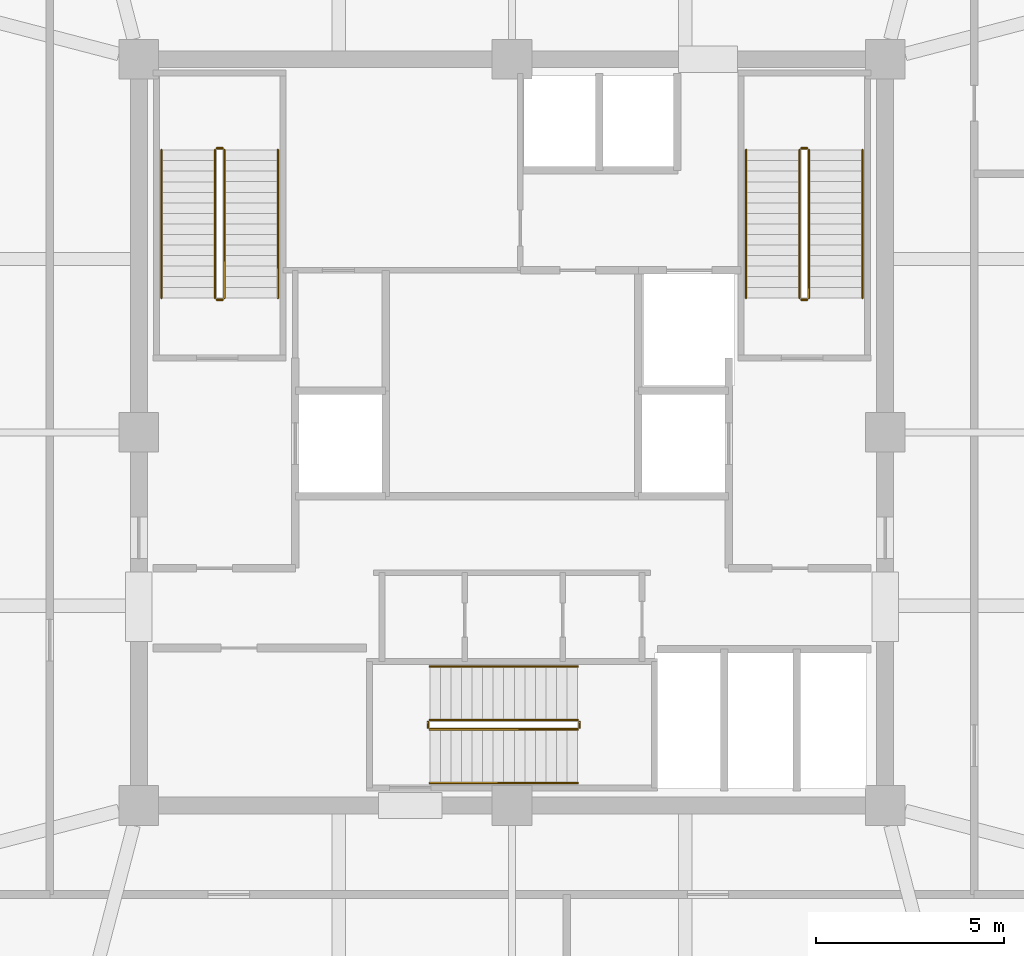
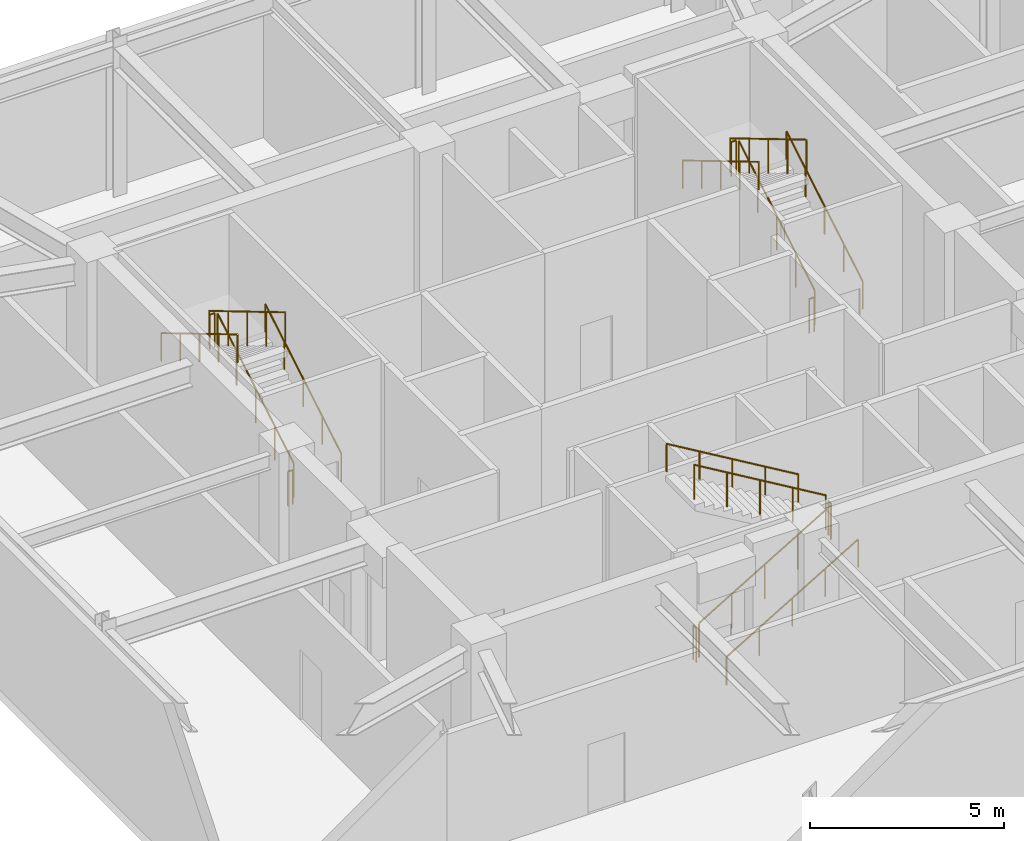
# One storey, part 5 of 5: 18 railings.
"""IFC4 building model written with IfcOpenShell, lengths in metres."""

from ifc_helpers import new_model, si_unit, direction, frame, origin, origin_2d, place, context, subcontext, project, spatial, circle, extrude, material, type_object, element, save


model = new_model("IFC4")

# Units and contexts
model_context = context("Model", 3, precision=1e-05, world=origin(), true_north=direction((0.0, 1.0)))
body_context = subcontext(model_context, "Body", "Model", "MODEL_VIEW")
ifc_project = project(units=[si_unit("LENGTHUNIT", "METRE"), si_unit("AREAUNIT", "SQUARE_METRE"), si_unit("VOLUMEUNIT", "CUBIC_METRE"), si_unit("PLANEANGLEUNIT", "RADIAN"), si_unit("MASSUNIT", "GRAM", prefix="KILO")], contexts=[model_context])

# Site, building, storey
site_placement = place(None, origin())
site = spatial("IfcSite", under=ifc_project, at=site_placement, CompositionType="ELEMENT")
building_placement = place(site_placement, origin())
building = spatial("IfcBuilding", under=site, at=building_placement, Name="Kolvaren Belvedere", CompositionType="ELEMENT")
storey_placement = place(building_placement, frame((0.0, 0.0, 272.39990234375)))
storey = spatial("IfcBuildingStorey", under=building, at=storey_placement, Name="L78", CompositionType="ELEMENT", Elevation=272.39990234375)

# Railings
ifc_material_1 = material(Name="Brushed stainless-steel handrail", Category="steel")
railing_type_1 = type_object("IfcRailingType", Name="RL-HANDRAIL-920", PredefinedType="HANDRAIL", material=ifc_material_1)
railing_1_placement = place(storey_placement, frame((-6.2099609375, 3.570068359375, 0.166748046875)))
element("IfcRailing", 1, at=railing_1_placement, inside=storey, type_object=railing_type_1, Name="L78 ST-1 stair handrail 1", PredefinedType="HANDRAIL", context=body_context, shape_type="SweptSolid", body=[
    extrude(circle(Radius=0.02392578125, at=origin_2d()), frame((0.0, 0.0, 0.8759765625), z_axis=(0.0, 0.859296244711, 0.511478214419), x_axis=(-1.0, 0.0, 0.0)), (0.0, 0.0, 1.0), 4.561767578125),
    extrude(circle(Radius=0.02099609375, at=origin_2d()), origin(), (0.0, 0.0, 1.0), 0.851806640625),
    extrude(circle(Radius=0.02099609375, at=origin_2d()), frame((0.0, 0.97998046875, 0.583251953125)), (0.0, 0.0, 1.0), 0.851806640625),
    extrude(circle(Radius=0.02099609375, at=origin_2d()), frame((0.0, 1.9599609375, 1.16650390625)), (0.0, 0.0, 1.0), 0.851806640625),
    extrude(circle(Radius=0.02099609375, at=origin_2d()), frame((0.0, 2.93994140625, 1.75)), (0.0, 0.0, 1.0), 0.851806640625),
    extrude(circle(Radius=0.02099609375, at=origin_2d()), frame((0.0, 3.919921875, 2.333251953125)), (0.0, 0.0, 1.0), 0.851806640625),
])
railing_2_placement = place(storey_placement, frame((-9.300048828125, 7.489990234375, 2.666748046875)))
element("IfcRailing", 2, at=railing_2_placement, inside=storey, type_object=railing_type_1, Name="L78 ST-1 stair handrail 2", PredefinedType="HANDRAIL", context=body_context, shape_type="SweptSolid", body=[
    extrude(circle(Radius=0.02392578125, at=origin_2d()), frame((0.0, 0.0, 0.8759765625), z_axis=(0.0, -0.859296244711, 0.511478214419), x_axis=(1.0, 0.0, 0.0)), (0.0, 0.0, 1.0), 4.561767578125),
    extrude(circle(Radius=0.02099609375, at=origin_2d()), origin(), (0.0, 0.0, 1.0), 0.851806640625),
    extrude(circle(Radius=0.02099609375, at=origin_2d()), frame((0.0, -0.97998046875, 0.583251953125)), (0.0, 0.0, 1.0), 0.851806640625),
    extrude(circle(Radius=0.02099609375, at=origin_2d()), frame((0.0, -1.9599609375, 1.16650390625)), (0.0, 0.0, 1.0), 0.851806640625),
    extrude(circle(Radius=0.02099609375, at=origin_2d()), frame((0.0, -2.93994140625, 1.75)), (0.0, 0.0, 1.0), 0.851806640625),
    extrude(circle(Radius=0.02099609375, at=origin_2d()), frame((0.0, -3.919921875, 2.333251953125)), (0.0, 0.0, 1.0), 0.851806640625),
])
railing_3_placement = place(storey_placement, frame((9.300048828125, 3.570068359375, 0.166748046875)))
element("IfcRailing", 3, at=railing_3_placement, inside=storey, type_object=railing_type_1, Name="L78 ST-2 stair handrail 1", PredefinedType="HANDRAIL", context=body_context, shape_type="SweptSolid", body=[
    extrude(circle(Radius=0.02392578125, at=origin_2d()), frame((0.0, 0.0, 0.8759765625), z_axis=(0.0, 0.859296244711, 0.511478214419), x_axis=(-1.0, 0.0, 0.0)), (0.0, 0.0, 1.0), 4.561767578125),
    extrude(circle(Radius=0.02099609375, at=origin_2d()), origin(), (0.0, 0.0, 1.0), 0.851806640625),
    extrude(circle(Radius=0.02099609375, at=origin_2d()), frame((0.0, 0.97998046875, 0.583251953125)), (0.0, 0.0, 1.0), 0.851806640625),
    extrude(circle(Radius=0.02099609375, at=origin_2d()), frame((0.0, 1.9599609375, 1.16650390625)), (0.0, 0.0, 1.0), 0.851806640625),
    extrude(circle(Radius=0.02099609375, at=origin_2d()), frame((0.0, 2.93994140625, 1.75)), (0.0, 0.0, 1.0), 0.851806640625),
    extrude(circle(Radius=0.02099609375, at=origin_2d()), frame((0.0, 3.919921875, 2.333251953125)), (0.0, 0.0, 1.0), 0.851806640625),
])
railing_4_placement = place(storey_placement, frame((6.2099609375, 7.489990234375, 2.666748046875)))
element("IfcRailing", 4, at=railing_4_placement, inside=storey, type_object=railing_type_1, Name="L78 ST-2 stair handrail 2", PredefinedType="HANDRAIL", context=body_context, shape_type="SweptSolid", body=[
    extrude(circle(Radius=0.02392578125, at=origin_2d()), frame((0.0, 0.0, 0.8759765625), z_axis=(0.0, -0.859296244711, 0.511478214419), x_axis=(1.0, 0.0, 0.0)), (0.0, 0.0, 1.0), 4.561767578125),
    extrude(circle(Radius=0.02099609375, at=origin_2d()), origin(), (0.0, 0.0, 1.0), 0.851806640625),
    extrude(circle(Radius=0.02099609375, at=origin_2d()), frame((0.0, -0.97998046875, 0.583251953125)), (0.0, 0.0, 1.0), 0.851806640625),
    extrude(circle(Radius=0.02099609375, at=origin_2d()), frame((0.0, -1.9599609375, 1.16650390625)), (0.0, 0.0, 1.0), 0.851806640625),
    extrude(circle(Radius=0.02099609375, at=origin_2d()), frame((0.0, -2.93994140625, 1.75)), (0.0, 0.0, 1.0), 0.851806640625),
    extrude(circle(Radius=0.02099609375, at=origin_2d()), frame((0.0, -3.919921875, 2.333251953125)), (0.0, 0.0, 1.0), 0.851806640625),
])
railing_5_placement = place(storey_placement, frame((-2.179931640625, -9.300048828125, 0.166748046875)))
element("IfcRailing", 5, at=railing_5_placement, inside=storey, type_object=railing_type_1, Name="L78 ST-3 stair handrail 1", PredefinedType="HANDRAIL", context=body_context, shape_type="SweptSolid", body=[
    extrude(circle(Radius=0.02392578125, at=origin_2d()), frame((0.0, 0.0, 0.8759765625), z_axis=(0.859296244711, 0.0, 0.511478214419), x_axis=(0.0, 1.0, 0.0)), (0.0, 0.0, 1.0), 4.561767578125),
    extrude(circle(Radius=0.02099609375, at=origin_2d()), origin(), (0.0, 0.0, 1.0), 0.851806640625),
    extrude(circle(Radius=0.02099609375, at=origin_2d()), frame((0.97998046875, 0.0, 0.583251953125)), (0.0, 0.0, 1.0), 0.851806640625),
    extrude(circle(Radius=0.02099609375, at=origin_2d()), frame((1.9599609375, 0.0, 1.16650390625)), (0.0, 0.0, 1.0), 0.851806640625),
    extrude(circle(Radius=0.02099609375, at=origin_2d()), frame((2.93994140625, 0.0, 1.75)), (0.0, 0.0, 1.0), 0.851806640625),
    extrude(circle(Radius=0.02099609375, at=origin_2d()), frame((3.919921875, 0.0, 2.333251953125)), (0.0, 0.0, 1.0), 0.851806640625),
])
railing_6_placement = place(storey_placement, frame((1.739990234375, -6.2099609375, 2.666748046875)))
element("IfcRailing", 6, at=railing_6_placement, inside=storey, type_object=railing_type_1, Name="L78 ST-3 stair handrail 2", PredefinedType="HANDRAIL", context=body_context, shape_type="SweptSolid", body=[
    extrude(circle(Radius=0.02392578125, at=origin_2d()), frame((0.0, 0.0, 0.8759765625), z_axis=(-0.859296244711, 0.0, 0.511478214419), x_axis=(0.0, -1.0, 0.0)), (0.0, 0.0, 1.0), 4.561767578125),
    extrude(circle(Radius=0.02099609375, at=origin_2d()), origin(), (0.0, 0.0, 1.0), 0.851806640625),
    extrude(circle(Radius=0.02099609375, at=origin_2d()), frame((-0.97998046875, 0.0, 0.583251953125)), (0.0, 0.0, 1.0), 0.851806640625),
    extrude(circle(Radius=0.02099609375, at=origin_2d()), frame((-1.9599609375, 0.0, 1.16650390625)), (0.0, 0.0, 1.0), 0.851806640625),
    extrude(circle(Radius=0.02099609375, at=origin_2d()), frame((-2.93994140625, 0.0, 1.75)), (0.0, 0.0, 1.0), 0.851806640625),
    extrude(circle(Radius=0.02099609375, at=origin_2d()), frame((-3.919921875, 0.0, 2.333251953125)), (0.0, 0.0, 1.0), 0.851806640625),
])
ifc_material_2 = material(Name="Painted tubular steel stair guard", Category="steel")
railing_type_2 = type_object("IfcRailingType", Name="RL-STGUARD-1100", PredefinedType="GUARDRAIL", material=ifc_material_2)
railing_7_placement = place(storey_placement, frame((-7.6298828125, 3.570068359375, 0.166748046875)))
element("IfcRailing", 7, at=railing_7_placement, inside=storey, type_object=railing_type_2, Name="L78 ST-1 stair guard 1", PredefinedType="GUARDRAIL", context=body_context, shape_type="SweptSolid", body=[
    extrude(circle(Radius=0.02392578125, at=origin_2d()), frame((0.0, 0.0, 1.076171875), z_axis=(0.0, 0.859296244711, 0.511478214419), x_axis=(-1.0, 0.0, 0.0)), (0.0, 0.0, 1.0), 4.561767578125),
    extrude(circle(Radius=0.02099609375, at=origin_2d()), origin(), (0.0, 0.0, 1.0), 1.052001953125),
    extrude(circle(Radius=0.02099609375, at=origin_2d()), frame((0.0, 0.97998046875, 0.583251953125)), (0.0, 0.0, 1.0), 1.052001953125),
    extrude(circle(Radius=0.02099609375, at=origin_2d()), frame((0.0, 1.9599609375, 1.16650390625)), (0.0, 0.0, 1.0), 1.052001953125),
    extrude(circle(Radius=0.02099609375, at=origin_2d()), frame((0.0, 2.93994140625, 1.75)), (0.0, 0.0, 1.0), 1.052001953125),
    extrude(circle(Radius=0.02099609375, at=origin_2d()), frame((0.0, 3.919921875, 2.333251953125)), (0.0, 0.0, 1.0), 1.052001953125),
])
railing_8_placement = place(storey_placement, frame((-7.679931640625, 7.5400390625, 2.5)))
element("IfcRailing", 8, at=railing_8_placement, inside=storey, type_object=railing_type_2, Name="L78 ST-1 stair guard 2", PredefinedType="GUARDRAIL", context=body_context, shape_type="SweptSolid", body=[
    extrude(circle(Radius=0.02392578125, at=origin_2d()), frame((0.0, 0.0, 1.076171875), z_axis=(-1.0, 0.0, 0.0), x_axis=(0.0, -1.0, 0.0)), (0.0, 0.0, 1.0), 0.150146484375),
    extrude(circle(Radius=0.02099609375, at=origin_2d()), origin(), (0.0, 0.0, 1.0), 1.052001953125),
    extrude(circle(Radius=0.02099609375, at=origin_2d()), frame((-0.150146484375, 0.0, 0.0)), (0.0, 0.0, 1.0), 1.052001953125),
])
railing_9_placement = place(storey_placement, frame((-7.8798828125, 7.489990234375, 2.666748046875)))
element("IfcRailing", 9, at=railing_9_placement, inside=storey, type_object=railing_type_2, Name="L78 ST-1 stair guard 3", PredefinedType="GUARDRAIL", context=body_context, shape_type="SweptSolid", body=[
    extrude(circle(Radius=0.02392578125, at=origin_2d()), frame((0.0, 0.0, 1.076171875), z_axis=(0.0, -0.859296244711, 0.511478214419), x_axis=(1.0, 0.0, 0.0)), (0.0, 0.0, 1.0), 4.561767578125),
    extrude(circle(Radius=0.02099609375, at=origin_2d()), origin(), (0.0, 0.0, 1.0), 1.052001953125),
    extrude(circle(Radius=0.02099609375, at=origin_2d()), frame((0.0, -0.97998046875, 0.583251953125)), (0.0, 0.0, 1.0), 1.052001953125),
    extrude(circle(Radius=0.02099609375, at=origin_2d()), frame((0.0, -1.9599609375, 1.16650390625)), (0.0, 0.0, 1.0), 1.052001953125),
    extrude(circle(Radius=0.02099609375, at=origin_2d()), frame((0.0, -2.93994140625, 1.75)), (0.0, 0.0, 1.0), 1.052001953125),
    extrude(circle(Radius=0.02099609375, at=origin_2d()), frame((0.0, -3.919921875, 2.333251953125)), (0.0, 0.0, 1.0), 1.052001953125),
])
railing_10_placement = place(storey_placement, frame((-7.679931640625, 3.52001953125, 0.0)))
element("IfcRailing", 10, at=railing_10_placement, inside=storey, type_object=railing_type_2, Name="L78 ST-1 stair guard 4", PredefinedType="GUARDRAIL", context=body_context, shape_type="SweptSolid", body=[
    extrude(circle(Radius=0.02392578125, at=origin_2d()), frame((0.0, 0.0, 1.076171875), z_axis=(-1.0, 0.0, 0.0), x_axis=(0.0, -1.0, 0.0)), (0.0, 0.0, 1.0), 0.150146484375),
    extrude(circle(Radius=0.02099609375, at=origin_2d()), origin(), (0.0, 0.0, 1.0), 1.052001953125),
    extrude(circle(Radius=0.02099609375, at=origin_2d()), frame((-0.150146484375, 0.0, 0.0)), (0.0, 0.0, 1.0), 1.052001953125),
])
railing_11_placement = place(storey_placement, frame((7.8798828125, 3.570068359375, 0.166748046875)))
element("IfcRailing", 11, at=railing_11_placement, inside=storey, type_object=railing_type_2, Name="L78 ST-2 stair guard 1", PredefinedType="GUARDRAIL", context=body_context, shape_type="SweptSolid", body=[
    extrude(circle(Radius=0.02392578125, at=origin_2d()), frame((0.0, 0.0, 1.076171875), z_axis=(0.0, 0.859296244711, 0.511478214419), x_axis=(-1.0, 0.0, 0.0)), (0.0, 0.0, 1.0), 4.561767578125),
    extrude(circle(Radius=0.02099609375, at=origin_2d()), origin(), (0.0, 0.0, 1.0), 1.052001953125),
    extrude(circle(Radius=0.02099609375, at=origin_2d()), frame((0.0, 0.97998046875, 0.583251953125)), (0.0, 0.0, 1.0), 1.052001953125),
    extrude(circle(Radius=0.02099609375, at=origin_2d()), frame((0.0, 1.9599609375, 1.16650390625)), (0.0, 0.0, 1.0), 1.052001953125),
    extrude(circle(Radius=0.02099609375, at=origin_2d()), frame((0.0, 2.93994140625, 1.75)), (0.0, 0.0, 1.0), 1.052001953125),
    extrude(circle(Radius=0.02099609375, at=origin_2d()), frame((0.0, 3.919921875, 2.333251953125)), (0.0, 0.0, 1.0), 1.052001953125),
])
railing_12_placement = place(storey_placement, frame((7.830078125, 7.5400390625, 2.5)))
element("IfcRailing", 12, at=railing_12_placement, inside=storey, type_object=railing_type_2, Name="L78 ST-2 stair guard 2", PredefinedType="GUARDRAIL", context=body_context, shape_type="SweptSolid", body=[
    extrude(circle(Radius=0.02392578125, at=origin_2d()), frame((0.0, 0.0, 1.076171875), z_axis=(-1.0, 0.0, 0.0), x_axis=(0.0, -1.0, 0.0)), (0.0, 0.0, 1.0), 0.150146484375),
    extrude(circle(Radius=0.02099609375, at=origin_2d()), origin(), (0.0, 0.0, 1.0), 1.052001953125),
    extrude(circle(Radius=0.02099609375, at=origin_2d()), frame((-0.150146484375, 0.0, 0.0)), (0.0, 0.0, 1.0), 1.052001953125),
])
railing_13_placement = place(storey_placement, frame((7.6298828125, 7.489990234375, 2.666748046875)))
element("IfcRailing", 13, at=railing_13_placement, inside=storey, type_object=railing_type_2, Name="L78 ST-2 stair guard 3", PredefinedType="GUARDRAIL", context=body_context, shape_type="SweptSolid", body=[
    extrude(circle(Radius=0.02392578125, at=origin_2d()), frame((0.0, 0.0, 1.076171875), z_axis=(0.0, -0.859296244711, 0.511478214419), x_axis=(1.0, 0.0, 0.0)), (0.0, 0.0, 1.0), 4.561767578125),
    extrude(circle(Radius=0.02099609375, at=origin_2d()), origin(), (0.0, 0.0, 1.0), 1.052001953125),
    extrude(circle(Radius=0.02099609375, at=origin_2d()), frame((0.0, -0.97998046875, 0.583251953125)), (0.0, 0.0, 1.0), 1.052001953125),
    extrude(circle(Radius=0.02099609375, at=origin_2d()), frame((0.0, -1.9599609375, 1.16650390625)), (0.0, 0.0, 1.0), 1.052001953125),
    extrude(circle(Radius=0.02099609375, at=origin_2d()), frame((0.0, -2.93994140625, 1.75)), (0.0, 0.0, 1.0), 1.052001953125),
    extrude(circle(Radius=0.02099609375, at=origin_2d()), frame((0.0, -3.919921875, 2.333251953125)), (0.0, 0.0, 1.0), 1.052001953125),
])
railing_14_placement = place(storey_placement, frame((7.830078125, 3.52001953125, 0.0)))
element("IfcRailing", 14, at=railing_14_placement, inside=storey, type_object=railing_type_2, Name="L78 ST-2 stair guard 4", PredefinedType="GUARDRAIL", context=body_context, shape_type="SweptSolid", body=[
    extrude(circle(Radius=0.02392578125, at=origin_2d()), frame((0.0, 0.0, 1.076171875), z_axis=(-1.0, 0.0, 0.0), x_axis=(0.0, -1.0, 0.0)), (0.0, 0.0, 1.0), 0.150146484375),
    extrude(circle(Radius=0.02099609375, at=origin_2d()), origin(), (0.0, 0.0, 1.0), 1.052001953125),
    extrude(circle(Radius=0.02099609375, at=origin_2d()), frame((-0.150146484375, 0.0, 0.0)), (0.0, 0.0, 1.0), 1.052001953125),
])
railing_15_placement = place(storey_placement, frame((-2.179931640625, -7.8798828125, 0.166748046875)))
element("IfcRailing", 15, at=railing_15_placement, inside=storey, type_object=railing_type_2, Name="L78 ST-3 stair guard 1", PredefinedType="GUARDRAIL", context=body_context, shape_type="SweptSolid", body=[
    extrude(circle(Radius=0.02392578125, at=origin_2d()), frame((0.0, 0.0, 1.076171875), z_axis=(0.859296244711, 0.0, 0.511478214419), x_axis=(0.0, 1.0, 0.0)), (0.0, 0.0, 1.0), 4.561767578125),
    extrude(circle(Radius=0.02099609375, at=origin_2d()), origin(), (0.0, 0.0, 1.0), 1.052001953125),
    extrude(circle(Radius=0.02099609375, at=origin_2d()), frame((0.97998046875, 0.0, 0.583251953125)), (0.0, 0.0, 1.0), 1.052001953125),
    extrude(circle(Radius=0.02099609375, at=origin_2d()), frame((1.9599609375, 0.0, 1.16650390625)), (0.0, 0.0, 1.0), 1.052001953125),
    extrude(circle(Radius=0.02099609375, at=origin_2d()), frame((2.93994140625, 0.0, 1.75)), (0.0, 0.0, 1.0), 1.052001953125),
    extrude(circle(Radius=0.02099609375, at=origin_2d()), frame((3.919921875, 0.0, 2.333251953125)), (0.0, 0.0, 1.0), 1.052001953125),
])
railing_16_placement = place(storey_placement, frame((1.7900390625, -7.830078125, 2.5)))
element("IfcRailing", 16, at=railing_16_placement, inside=storey, type_object=railing_type_2, Name="L78 ST-3 stair guard 2", PredefinedType="GUARDRAIL", context=body_context, shape_type="SweptSolid", body=[
    extrude(circle(Radius=0.02392578125, at=origin_2d()), frame((0.0, 0.0, 1.076171875), z_axis=(0.0, 1.0, 0.0), x_axis=(-1.0, 0.0, 0.0)), (0.0, 0.0, 1.0), 0.150146484375),
    extrude(circle(Radius=0.02099609375, at=origin_2d()), origin(), (0.0, 0.0, 1.0), 1.052001953125),
    extrude(circle(Radius=0.02099609375, at=origin_2d()), frame((0.0, 0.150146484375, 0.0)), (0.0, 0.0, 1.0), 1.052001953125),
])
railing_17_placement = place(storey_placement, frame((1.739990234375, -7.6298828125, 2.666748046875)))
element("IfcRailing", 17, at=railing_17_placement, inside=storey, type_object=railing_type_2, Name="L78 ST-3 stair guard 3", PredefinedType="GUARDRAIL", context=body_context, shape_type="SweptSolid", body=[
    extrude(circle(Radius=0.02392578125, at=origin_2d()), frame((0.0, 0.0, 1.076171875), z_axis=(-0.859296244711, 0.0, 0.511478214419), x_axis=(0.0, -1.0, 0.0)), (0.0, 0.0, 1.0), 4.561767578125),
    extrude(circle(Radius=0.02099609375, at=origin_2d()), origin(), (0.0, 0.0, 1.0), 1.052001953125),
    extrude(circle(Radius=0.02099609375, at=origin_2d()), frame((-0.97998046875, 0.0, 0.583251953125)), (0.0, 0.0, 1.0), 1.052001953125),
    extrude(circle(Radius=0.02099609375, at=origin_2d()), frame((-1.9599609375, 0.0, 1.16650390625)), (0.0, 0.0, 1.0), 1.052001953125),
    extrude(circle(Radius=0.02099609375, at=origin_2d()), frame((-2.93994140625, 0.0, 1.75)), (0.0, 0.0, 1.0), 1.052001953125),
    extrude(circle(Radius=0.02099609375, at=origin_2d()), frame((-3.919921875, 0.0, 2.333251953125)), (0.0, 0.0, 1.0), 1.052001953125),
])
railing_18_placement = place(storey_placement, frame((-2.22998046875, -7.830078125, 0.0)))
element("IfcRailing", 18, at=railing_18_placement, inside=storey, type_object=railing_type_2, Name="L78 ST-3 stair guard 4", PredefinedType="GUARDRAIL", context=body_context, shape_type="SweptSolid", body=[
    extrude(circle(Radius=0.02392578125, at=origin_2d()), frame((0.0, 0.0, 1.076171875), z_axis=(0.0, 1.0, 0.0), x_axis=(-1.0, 0.0, 0.0)), (0.0, 0.0, 1.0), 0.150146484375),
    extrude(circle(Radius=0.02099609375, at=origin_2d()), origin(), (0.0, 0.0, 1.0), 1.052001953125),
    extrude(circle(Radius=0.02099609375, at=origin_2d()), frame((0.0, 0.150146484375, 0.0)), (0.0, 0.0, 1.0), 1.052001953125),
])

save(model, "model.ifc")
